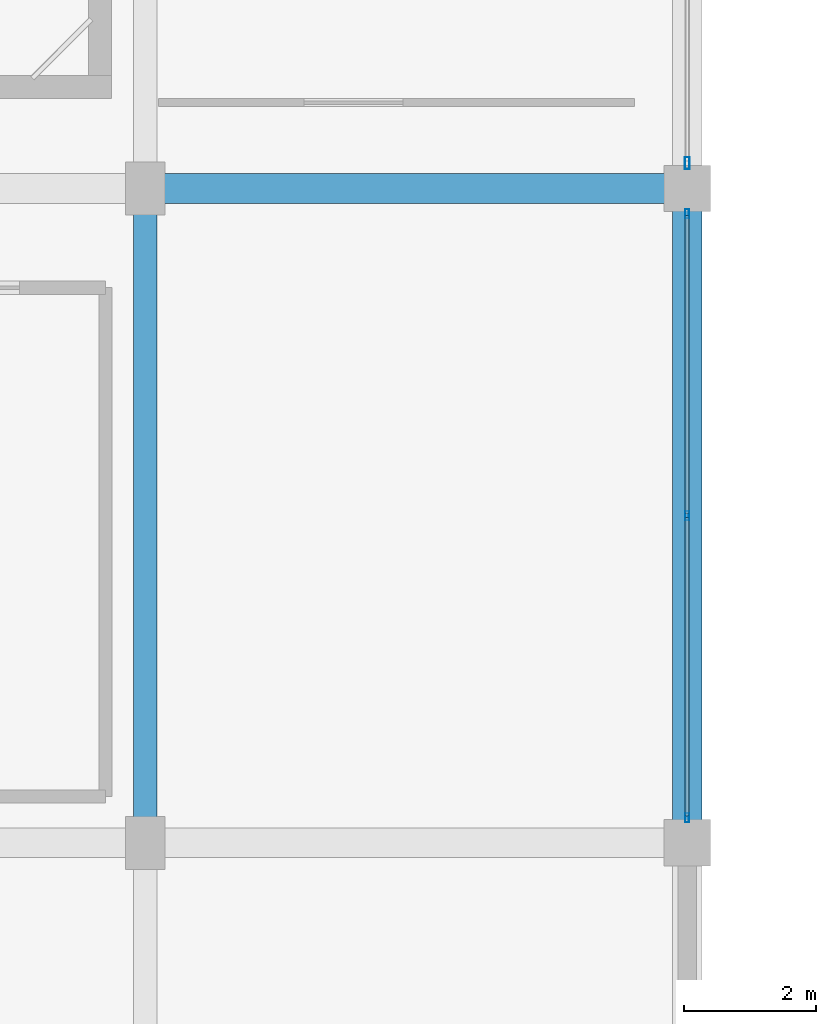
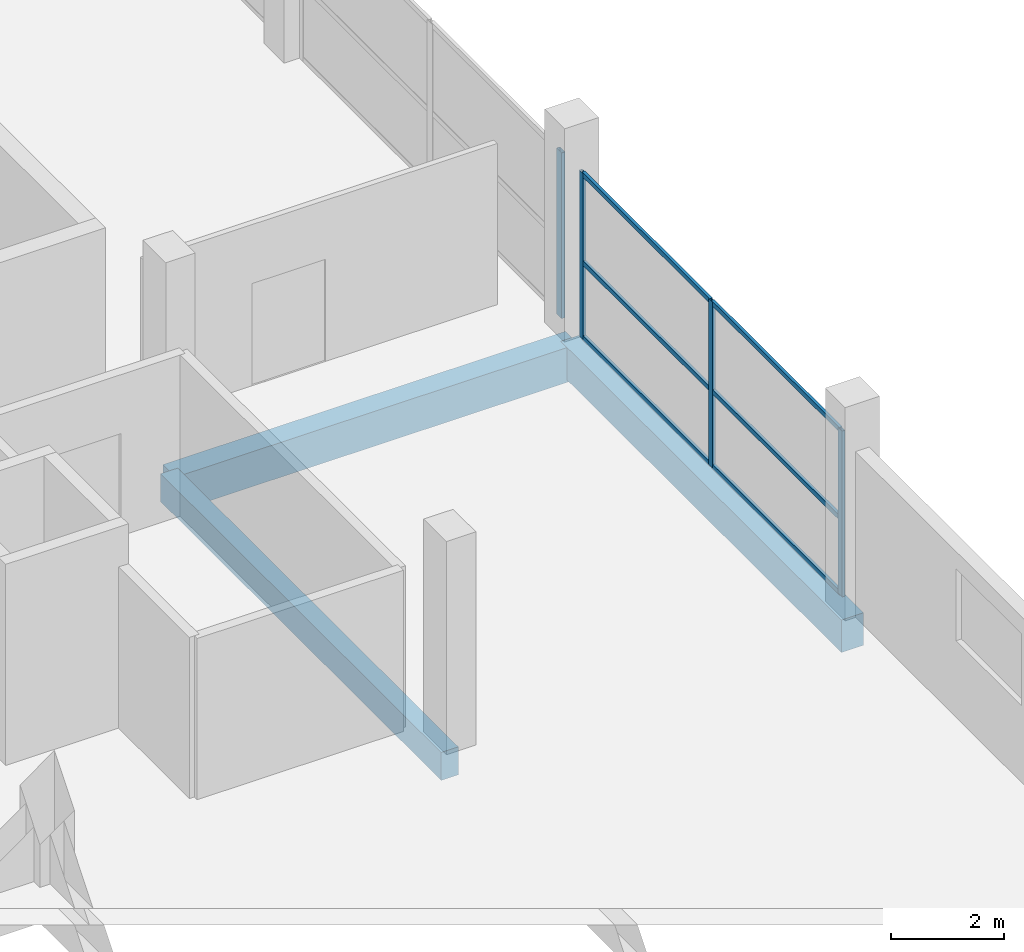
# One storey, part 12 of 49: 10 members, 3 beams, 2 elements without a shape of their own.
"""IFC4 building model written with IfcOpenShell, lengths in metres."""

from ifc_helpers import new_model, si_unit, direction, frame, origin, origin_2d, place, context, subcontext, project, spatial, rectangle, hollow_rectangle, extrude, material, layer, layer_set, material_profile, profile_set, type_object, element, aggregate, save


model = new_model("IFC4")

# Units and contexts
model_context = context("Model", 3, precision=1e-05, world=origin(), true_north=direction((0.0, 1.0)))
body_context = subcontext(model_context, "Body", "Model", "MODEL_VIEW")
ifc_project = project(units=[si_unit("LENGTHUNIT", "METRE"), si_unit("AREAUNIT", "SQUARE_METRE"), si_unit("VOLUMEUNIT", "CUBIC_METRE"), si_unit("PLANEANGLEUNIT", "RADIAN"), si_unit("MASSUNIT", "GRAM", prefix="KILO")], contexts=[model_context])

# Site, building, storey
site_placement = place(None, origin())
site = spatial("IfcSite", under=ifc_project, at=site_placement, CompositionType="ELEMENT")
building_placement = place(site_placement, origin())
building = spatial("IfcBuilding", under=site, at=building_placement, Name="Sillaruma Civic Art Gallery", CompositionType="ELEMENT")
storey_placement = place(building_placement, frame((0.0, 0.0, 33.14990234375)))
storey = spatial("IfcBuildingStorey", under=building, at=storey_placement, Name="L06", CompositionType="ELEMENT", Elevation=33.14990234375)

# Beams
ifc_material_1 = material(Name="Concrete H35 (35 MPa)", Category="concrete")
ifc_material_profile_1 = material_profile(ifc_material_1, rectangle(XDim=0.35009765625, YDim=0.60009765625, at=origin_2d()), Name="RCB350x600")
ifc_profile_set_1 = profile_set([ifc_material_profile_1], Name="Concrete H35 (35 MPa)")
beam_type_1 = type_object("IfcBeamType", Name="BM-BEAM-RCB350x600", PredefinedType="BEAM", material=ifc_profile_set_1)
beam_1_placement = place(storey_placement, frame((106.199951171875, 39.60009765625, -0.539794921875), z_axis=(0.0, 1.0, 0.0), x_axis=(-1.0, 0.0, 0.0)))
element("IfcBeam", 1, at=beam_1_placement, inside=storey, type_object=beam_type_1, Name="Beam BM-06 (L05:M:5-6)", PredefinedType="BEAM", context=body_context, shape_type="SweptSolid", body=[
    extrude(rectangle(XDim=0.35009765625, YDim=0.60009765625, at=origin_2d()), origin(), (0.0, 0.0, 1.0), 9.89990234375),
])
ifc_material_2 = material(Name="Concrete H40 (40 MPa)", Category="concrete")
ifc_material_profile_2 = material_profile(ifc_material_2, rectangle(XDim=0.449951171875, YDim=0.75, at=origin_2d()), Name="RCB450x750")
ifc_profile_set_2 = profile_set([ifc_material_profile_2], Name="Concrete H40 (40 MPa)")
beam_type_2 = type_object("IfcBeamType", Name="BM-BEAM-RCB450x750", PredefinedType="BEAM", material=ifc_profile_set_2)
beam_2_placement = place(storey_placement, frame((106.199951171875, 49.5, -0.614990234375), z_axis=(1.0, 0.0, 0.0), x_axis=(0.0, 1.0, 0.0)))
element("IfcBeam", 2, at=beam_2_placement, inside=storey, type_object=beam_type_2, Name="Beam BM-03 (L05:6:M-N)", PredefinedType="BEAM", context=body_context, shape_type="SweptSolid", body=[
    extrude(rectangle(XDim=0.449951171875, YDim=0.75, at=origin_2d()), origin(), (0.0, 0.0, 1.0), 8.199951171875),
])
ifc_material_profile_3 = material_profile(ifc_material_1, rectangle(XDim=0.449951171875, YDim=0.699951171875, at=origin_2d()), Name="RCB450x700")
ifc_profile_set_3 = profile_set([ifc_material_profile_3], Name="Concrete H35 (35 MPa)")
beam_type_3 = type_object("IfcBeamType", Name="BM-SPANDREL-RCB450x700", PredefinedType="SPANDREL", material=ifc_profile_set_3)
beam_3_placement = place(storey_placement, frame((114.39990234375, 39.60009765625, -0.58984375), z_axis=(0.0, 1.0, 0.0), x_axis=(-1.0, 0.0, 0.0)))
element("IfcBeam", 3, at=beam_3_placement, inside=storey, type_object=beam_type_3, Name="Beam BS-03 (L05:N:5-6)", PredefinedType="SPANDREL", context=body_context, shape_type="SweptSolid", body=[
    extrude(rectangle(XDim=0.449951171875, YDim=0.699951171875, at=origin_2d()), origin(), (0.0, 0.0, 1.0), 9.89990234375),
])

# Curtain wall, members
ifc_material_3 = material(Name="Thermally Broken Extruded Aluminium 6063-T6", Category="aluminium")
ifc_layer_1 = layer(ifc_material_3, 0.139892578125, Name="Thermally Broken Extruded Aluminium 6063-T6")
ifc_layer_set_1 = layer_set([ifc_layer_1], Name="Thermally Broken Extruded Aluminium 6063-T6")
curtain_wall_type_1 = type_object("IfcCurtainWallType", Name="CW-UNI-32", PredefinedType="NOTDEFINED", material=ifc_layer_set_1)
curtain_wall_1_placement = place(storey_placement, origin())
curtain_wall_1 = element("IfcCurtainWall", 4, at=curtain_wall_1_placement, inside=storey, type_object=curtain_wall_type_1, Name="Unitised Curtain Wall CW-32 (CW-L06-E-3)", PredefinedType="NOTDEFINED")
ifc_material_profile_4 = material_profile(ifc_material_3, hollow_rectangle(XDim=0.06005859375, YDim=0.139892578125, WallThickness=0.00341796875, at=origin_2d()), Name="CWM60x140")
ifc_profile_set_4 = profile_set([ifc_material_profile_4], Name="Thermally Broken Extruded Aluminium 6063-T6")
member_type_1 = type_object("IfcMemberType", Name="MEM-MUL-CWM60x140", PredefinedType="MULLION", material=ifc_profile_set_4)
member_1_placement = place(storey_placement, frame((114.39990234375, 39.97998046875, 0.0), z_axis=(0.0, 0.0, 1.0), x_axis=(-1.0, 0.0, 0.0)))
member_1 = element("IfcMember", 5, at=member_1_placement, type_object=member_type_1, Name="CW-32 mullion 1", PredefinedType="MULLION", context=body_context, shape_type="SweptSolid", body=[
    extrude(hollow_rectangle(XDim=0.06005859375, YDim=0.139892578125, WallThickness=0.00341796875, at=origin_2d()), origin(), (0.0, 0.0, 1.0), 3.570068359375),
])
member_2_placement = place(storey_placement, frame((114.39990234375, 44.550048828125, 0.0), z_axis=(0.0, 0.0, 1.0), x_axis=(-1.0, 0.0, 0.0)))
member_2 = element("IfcMember", 6, at=member_2_placement, type_object=member_type_1, Name="CW-32 mullion 2", PredefinedType="MULLION", context=body_context, shape_type="SweptSolid", body=[
    extrude(hollow_rectangle(XDim=0.06005859375, YDim=0.139892578125, WallThickness=0.00341796875, at=origin_2d()), origin(), (0.0, 0.0, 1.0), 3.570068359375),
])
member_3_placement = place(storey_placement, frame((114.39990234375, 49.1201171875, 0.0), z_axis=(0.0, 0.0, 1.0), x_axis=(-1.0, 0.0, 0.0)))
member_3 = element("IfcMember", 7, at=member_3_placement, type_object=member_type_1, Name="CW-32 mullion 3", PredefinedType="MULLION", context=body_context, shape_type="SweptSolid", body=[
    extrude(hollow_rectangle(XDim=0.06005859375, YDim=0.139892578125, WallThickness=0.00341796875, at=origin_2d()), origin(), (0.0, 0.0, 1.0), 3.570068359375),
])

# Curtain wall, member
ifc_layer_2 = layer(ifc_material_3, 0.179931640625, Name="Thermally Broken Extruded Aluminium 6063-T6")
ifc_layer_set_2 = layer_set([ifc_layer_2], Name="Thermally Broken Extruded Aluminium 6063-T6")
curtain_wall_type_2 = type_object("IfcCurtainWallType", Name="CW-UNI-34", PredefinedType="NOTDEFINED", material=ifc_layer_set_2)
curtain_wall_2_placement = place(storey_placement, origin())
curtain_wall_2 = element("IfcCurtainWall", 8, at=curtain_wall_2_placement, inside=storey, type_object=curtain_wall_type_2, Name="Unitised Curtain Wall CW-34 (CW-L06-E-4)", PredefinedType="NOTDEFINED")
ifc_material_profile_5 = material_profile(ifc_material_3, hollow_rectangle(XDim=0.070068359375, YDim=0.179931640625, WallThickness=0.00390625, at=origin_2d()), Name="CWM70x180")
ifc_profile_set_5 = profile_set([ifc_material_profile_5], Name="Thermally Broken Extruded Aluminium 6063-T6")
member_type_2 = type_object("IfcMemberType", Name="MEM-MUL-CWM70x180", PredefinedType="MULLION", material=ifc_profile_set_5)
member_4_placement = place(storey_placement, frame((114.39990234375, 49.885009765625, 0.0), z_axis=(0.0, 0.0, 1.0), x_axis=(-1.0, 0.0, 0.0)))
member_4 = element("IfcMember", 9, at=member_4_placement, type_object=member_type_2, Name="CW-34 mullion 1", PredefinedType="MULLION", context=body_context, shape_type="SweptSolid", body=[
    extrude(hollow_rectangle(XDim=0.070068359375, YDim=0.179931640625, WallThickness=0.00390625, at=origin_2d()), origin(), (0.0, 0.0, 1.0), 3.570068359375),
])
aggregate(curtain_wall_2, [member_4])

# Member
ifc_material_profile_6 = material_profile(ifc_material_3, hollow_rectangle(XDim=0.06005859375, YDim=0.10009765625, WallThickness=0.003173828125, at=origin_2d()), Name="CWT60x100")
ifc_profile_set_6 = profile_set([ifc_material_profile_6], Name="Thermally Broken Extruded Aluminium 6063-T6")
member_type_3 = type_object("IfcMemberType", Name="MEM-TRN-CWT60x100", PredefinedType="USERDEFINED", material=ifc_profile_set_6)
member_5_placement = place(storey_placement, frame((114.39990234375, 40.010009765625, 0.030029296875), z_axis=(0.0, 1.0, 0.0), x_axis=(-1.0, 0.0, 0.0)))
member_5 = element("IfcMember", 10, at=member_5_placement, type_object=member_type_3, Name="CW-32 transom 1.1", ObjectType="TRANSOM", PredefinedType="USERDEFINED", context=body_context, shape_type="SweptSolid", body=[
    extrude(hollow_rectangle(XDim=0.06005859375, YDim=0.10009765625, WallThickness=0.003173828125, at=origin_2d()), origin(), (0.0, 0.0, 1.0), 4.510009765625),
])

member_6_placement = place(storey_placement, frame((114.39990234375, 40.010009765625, 1.642333984375), z_axis=(0.0, 1.0, 0.0), x_axis=(-1.0, 0.0, 0.0)))
member_6 = element("IfcMember", 11, at=member_6_placement, type_object=member_type_3, Name="CW-32 transom 1.2", ObjectType="TRANSOM", PredefinedType="USERDEFINED", context=body_context, shape_type="SweptSolid", body=[
    extrude(hollow_rectangle(XDim=0.06005859375, YDim=0.10009765625, WallThickness=0.003173828125, at=origin_2d()), origin(), (0.0, 0.0, 1.0), 4.510009765625),
])

member_7_placement = place(storey_placement, frame((114.39990234375, 40.010009765625, 3.5400390625), z_axis=(0.0, 1.0, 0.0), x_axis=(-1.0, 0.0, 0.0)))
member_7 = element("IfcMember", 12, at=member_7_placement, type_object=member_type_3, Name="CW-32 transom 1.3", ObjectType="TRANSOM", PredefinedType="USERDEFINED", context=body_context, shape_type="SweptSolid", body=[
    extrude(hollow_rectangle(XDim=0.06005859375, YDim=0.10009765625, WallThickness=0.003173828125, at=origin_2d()), origin(), (0.0, 0.0, 1.0), 4.510009765625),
])

member_8_placement = place(storey_placement, frame((114.39990234375, 44.580078125, 0.030029296875), z_axis=(0.0, 1.0, 0.0), x_axis=(-1.0, 0.0, 0.0)))
member_8 = element("IfcMember", 13, at=member_8_placement, type_object=member_type_3, Name="CW-32 transom 2.1", ObjectType="TRANSOM", PredefinedType="USERDEFINED", context=body_context, shape_type="SweptSolid", body=[
    extrude(hollow_rectangle(XDim=0.06005859375, YDim=0.10009765625, WallThickness=0.003173828125, at=origin_2d()), origin(), (0.0, 0.0, 1.0), 4.510009765625),
])

member_9_placement = place(storey_placement, frame((114.39990234375, 44.580078125, 1.642333984375), z_axis=(0.0, 1.0, 0.0), x_axis=(-1.0, 0.0, 0.0)))
member_9 = element("IfcMember", 14, at=member_9_placement, type_object=member_type_3, Name="CW-32 transom 2.2", ObjectType="TRANSOM", PredefinedType="USERDEFINED", context=body_context, shape_type="SweptSolid", body=[
    extrude(hollow_rectangle(XDim=0.06005859375, YDim=0.10009765625, WallThickness=0.003173828125, at=origin_2d()), origin(), (0.0, 0.0, 1.0), 4.510009765625),
])

member_10_placement = place(storey_placement, frame((114.39990234375, 44.580078125, 3.5400390625), z_axis=(0.0, 1.0, 0.0), x_axis=(-1.0, 0.0, 0.0)))
member_10 = element("IfcMember", 15, at=member_10_placement, type_object=member_type_3, Name="CW-32 transom 2.3", ObjectType="TRANSOM", PredefinedType="USERDEFINED", context=body_context, shape_type="SweptSolid", body=[
    extrude(hollow_rectangle(XDim=0.06005859375, YDim=0.10009765625, WallThickness=0.003173828125, at=origin_2d()), origin(), (0.0, 0.0, 1.0), 4.510009765625),
])

aggregate(curtain_wall_1, [member_1, member_2, member_3, member_5, member_6, member_7, member_8, member_9, member_10])

save(model, "model.ifc")
